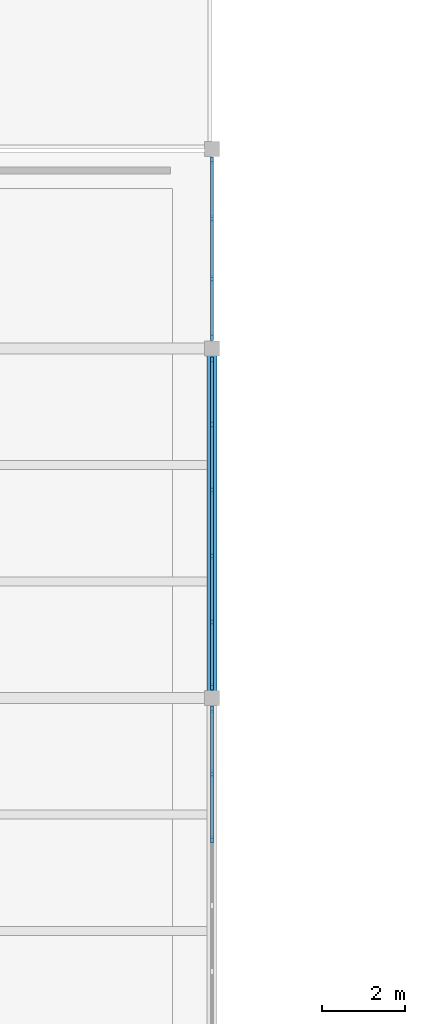
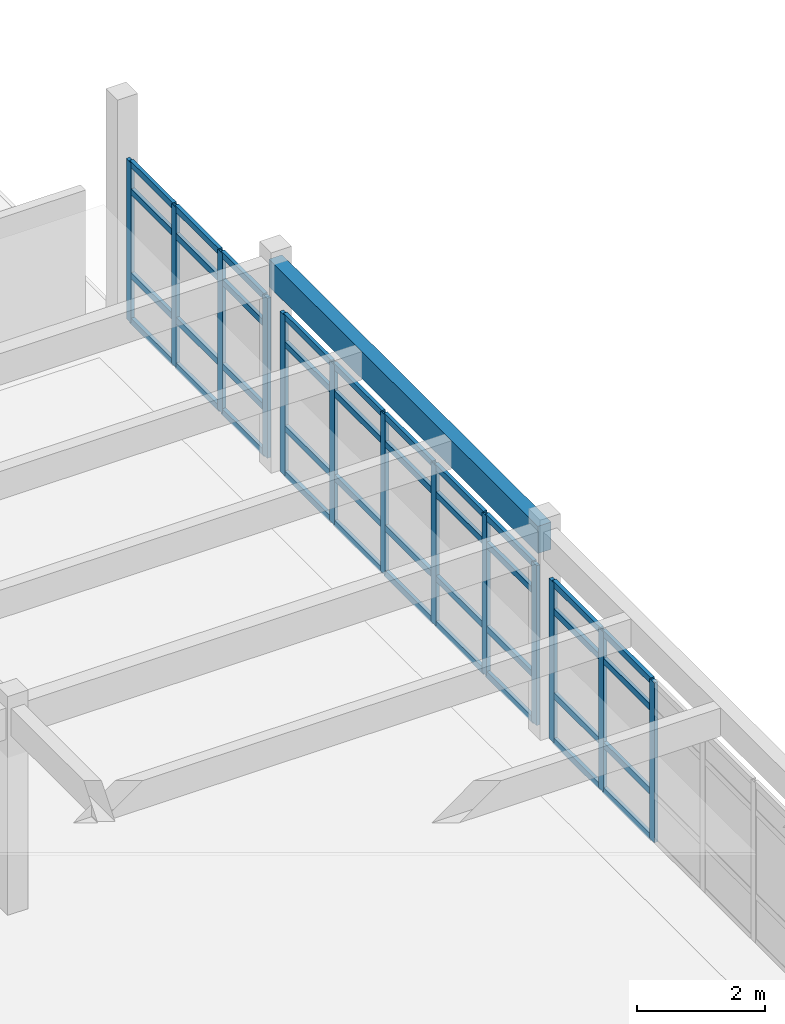
# One storey, part 21 of 61: 53 members, 1 beam, 3 elements without a shape of their own.
"""IFC4 building model written with IfcOpenShell, lengths in metres."""

from ifc_helpers import new_model, si_unit, direction, frame, origin, origin_2d, place, context, subcontext, project, spatial, rectangle, extrude, material, layer, layer_set, material_profile, profile_set, type_object, element, aggregate, save


model = new_model("IFC4")

# Units and contexts
model_context = context("Model", 3, precision=1e-05, world=origin(), true_north=direction((0.0, 1.0)))
body_context = subcontext(model_context, "Body", "Model", "MODEL_VIEW")
ifc_project = project(units=[si_unit("LENGTHUNIT", "METRE"), si_unit("AREAUNIT", "SQUARE_METRE"), si_unit("VOLUMEUNIT", "CUBIC_METRE"), si_unit("PLANEANGLEUNIT", "RADIAN"), si_unit("MASSUNIT", "GRAM", prefix="KILO")], contexts=[model_context])

# Site, building, storey
site_placement = place(None, origin())
site = spatial("IfcSite", under=ifc_project, at=site_placement, CompositionType="ELEMENT")
building_placement = place(site_placement, origin())
building = spatial("IfcBuilding", under=site, at=building_placement, Name="Kolvemor Railside Polytechnic", CompositionType="ELEMENT")
storey_placement = place(building_placement, frame((0.0, 0.0, 10.199951171875)))
storey = spatial("IfcBuildingStorey", under=building, at=storey_placement, Name="L02", CompositionType="ELEMENT", Elevation=10.199951171875)

# Beam
ifc_material_1 = material(Name="Glulam GL28h", Category="wood")
ifc_material_profile_1 = material_profile(ifc_material_1, rectangle(XDim=0.239990234375, YDim=0.52001953125, at=origin_2d()), Name="GL240x520")
ifc_profile_set_1 = profile_set([ifc_material_profile_1], Name="Glulam GL28h")
beam_type = type_object("IfcBeamType", Name="BM-GL-GIRD8", PredefinedType="BEAM", material=ifc_profile_set_1)
beam_placement = place(storey_placement, frame((48.0, 68.39990234375, 3.68994140625), z_axis=(0.0, 1.0, 0.0), x_axis=(-1.0, 0.0, 0.0)))
element("IfcBeam", 1, at=beam_placement, inside=storey, type_object=beam_type, Name="Primary Girder L03-GY 1163", PredefinedType="BEAM", context=body_context, shape_type="SweptSolid", body=[
    extrude(rectangle(XDim=0.239990234375, YDim=0.52001953125, at=origin_2d()), origin(), (0.0, 0.0, 1.0), 8.400146484375),
])

# Curtain wall, members
ifc_material_2 = material(Name="Anodised marine aluminium and laminated low-E glass", Category="aluminium")
ifc_layer = layer(ifc_material_2, 0.179931640625, Name="CW-UNIT-STD")
ifc_layer_set = layer_set([ifc_layer], Name="Anodised marine aluminium and laminated low-E glass")
curtain_wall_type = type_object("IfcCurtainWallType", Name="CW-UNIT-STD", PredefinedType="USERDEFINED", material=ifc_layer_set)
curtain_wall_1_placement = place(storey_placement, origin())
curtain_wall_1 = element("IfcCurtainWall", 2, at=curtain_wall_1_placement, inside=storey, type_object=curtain_wall_type, Name="Curtain Wall L02-077", ObjectType="UNITISED CURTAIN WALL", PredefinedType="USERDEFINED")
ifc_material_3 = material(Name="Anodised marine aluminium 6063-T6", Category="aluminium")
ifc_material_profile_2 = material_profile(ifc_material_3, rectangle(XDim=0.06494140625, YDim=0.14990234375, at=origin_2d()), Name="CW-MUL-65x150")
ifc_profile_set_2 = profile_set([ifc_material_profile_2], Name="Anodised marine aluminium 6063-T6")
member_type_1 = type_object("IfcMemberType", Name="CWM-65x150", PredefinedType="MULLION", material=ifc_profile_set_2)
member_1_placement = place(storey_placement, frame((48.0, 64.991943359375, 0.0), z_axis=(0.0, 0.0, 1.0), x_axis=(-1.0, 0.0, 0.0)))
member_1 = element("IfcMember", 3, at=member_1_placement, type_object=member_type_1, Name="CW-STD mullion 4", PredefinedType="MULLION", context=body_context, shape_type="SweptSolid", body=[
    extrude(rectangle(XDim=0.06494140625, YDim=0.14990234375, at=origin_2d()), origin(), (0.0, 0.0, 1.0), 3.050048828125),
])
member_2_placement = place(storey_placement, frame((48.0, 66.575927734375, 0.0), z_axis=(0.0, 0.0, 1.0), x_axis=(-1.0, 0.0, 0.0)))
member_2 = element("IfcMember", 4, at=member_2_placement, type_object=member_type_1, Name="CW-STD mullion 5", PredefinedType="MULLION", context=body_context, shape_type="SweptSolid", body=[
    extrude(rectangle(XDim=0.06494140625, YDim=0.14990234375, at=origin_2d()), origin(), (0.0, 0.0, 1.0), 3.050048828125),
])
member_3_placement = place(storey_placement, frame((48.0, 68.12744140625, 0.0), z_axis=(0.0, 0.0, 1.0), x_axis=(-1.0, 0.0, 0.0)))
member_3 = element("IfcMember", 5, at=member_3_placement, type_object=member_type_1, Name="CW-STD mullion 6", PredefinedType="MULLION", context=body_context, shape_type="SweptSolid", body=[
    extrude(rectangle(XDim=0.06494140625, YDim=0.14990234375, at=origin_2d()), origin(), (0.0, 0.0, 1.0), 3.050048828125),
])

curtain_wall_2_placement = place(storey_placement, origin())
curtain_wall_2 = element("IfcCurtainWall", 6, at=curtain_wall_2_placement, inside=storey, type_object=curtain_wall_type, Name="Curtain Wall L02-084", ObjectType="UNITISED CURTAIN WALL", PredefinedType="USERDEFINED")
member_4_placement = place(storey_placement, frame((48.0, 68.672607421875, 0.0), z_axis=(0.0, 0.0, 1.0), x_axis=(-1.0, 0.0, 0.0)))
member_4 = element("IfcMember", 7, at=member_4_placement, type_object=member_type_1, Name="CW-STD mullion 1", PredefinedType="MULLION", context=body_context, shape_type="SweptSolid", body=[
    extrude(rectangle(XDim=0.06494140625, YDim=0.14990234375, at=origin_2d()), origin(), (0.0, 0.0, 1.0), 3.050048828125),
])
member_5_placement = place(storey_placement, frame((48.0, 70.22412109375, 0.0), z_axis=(0.0, 0.0, 1.0), x_axis=(-1.0, 0.0, 0.0)))
member_5 = element("IfcMember", 8, at=member_5_placement, type_object=member_type_1, Name="CW-STD mullion 2", PredefinedType="MULLION", context=body_context, shape_type="SweptSolid", body=[
    extrude(rectangle(XDim=0.06494140625, YDim=0.14990234375, at=origin_2d()), origin(), (0.0, 0.0, 1.0), 3.050048828125),
])
member_6_placement = place(storey_placement, frame((48.0, 71.80810546875, 0.0), z_axis=(0.0, 0.0, 1.0), x_axis=(-1.0, 0.0, 0.0)))
member_6 = element("IfcMember", 9, at=member_6_placement, type_object=member_type_1, Name="CW-STD mullion 3", PredefinedType="MULLION", context=body_context, shape_type="SweptSolid", body=[
    extrude(rectangle(XDim=0.06494140625, YDim=0.14990234375, at=origin_2d()), origin(), (0.0, 0.0, 1.0), 3.050048828125),
])
member_7_placement = place(storey_placement, frame((48.0, 73.39208984375, 0.0), z_axis=(0.0, 0.0, 1.0), x_axis=(-1.0, 0.0, 0.0)))
member_7 = element("IfcMember", 10, at=member_7_placement, type_object=member_type_1, Name="CW-STD mullion 4", PredefinedType="MULLION", context=body_context, shape_type="SweptSolid", body=[
    extrude(rectangle(XDim=0.06494140625, YDim=0.14990234375, at=origin_2d()), origin(), (0.0, 0.0, 1.0), 3.050048828125),
])
member_8_placement = place(storey_placement, frame((48.0, 74.97607421875, 0.0), z_axis=(0.0, 0.0, 1.0), x_axis=(-1.0, 0.0, 0.0)))
member_8 = element("IfcMember", 11, at=member_8_placement, type_object=member_type_1, Name="CW-STD mullion 5", PredefinedType="MULLION", context=body_context, shape_type="SweptSolid", body=[
    extrude(rectangle(XDim=0.06494140625, YDim=0.14990234375, at=origin_2d()), origin(), (0.0, 0.0, 1.0), 3.050048828125),
])
member_9_placement = place(storey_placement, frame((48.0, 76.527587890625, 0.0), z_axis=(0.0, 0.0, 1.0), x_axis=(-1.0, 0.0, 0.0)))
member_9 = element("IfcMember", 12, at=member_9_placement, type_object=member_type_1, Name="CW-STD mullion 6", PredefinedType="MULLION", context=body_context, shape_type="SweptSolid", body=[
    extrude(rectangle(XDim=0.06494140625, YDim=0.14990234375, at=origin_2d()), origin(), (0.0, 0.0, 1.0), 3.050048828125),
])

curtain_wall_3_placement = place(storey_placement, origin())
curtain_wall_3 = element("IfcCurtainWall", 13, at=curtain_wall_3_placement, inside=storey, type_object=curtain_wall_type, Name="Curtain Wall L02-091", ObjectType="UNITISED CURTAIN WALL", PredefinedType="USERDEFINED")
member_10_placement = place(storey_placement, frame((48.0, 77.072509765625, 0.0), z_axis=(0.0, 0.0, 1.0), x_axis=(-1.0, 0.0, 0.0)))
member_10 = element("IfcMember", 14, at=member_10_placement, type_object=member_type_1, Name="CW-STD mullion 1", PredefinedType="MULLION", context=body_context, shape_type="SweptSolid", body=[
    extrude(rectangle(XDim=0.06494140625, YDim=0.14990234375, at=origin_2d()), origin(), (0.0, 0.0, 1.0), 3.050048828125),
])
member_11_placement = place(storey_placement, frame((48.0, 78.47998046875, 0.0), z_axis=(0.0, 0.0, 1.0), x_axis=(-1.0, 0.0, 0.0)))
member_11 = element("IfcMember", 15, at=member_11_placement, type_object=member_type_1, Name="CW-STD mullion 2", PredefinedType="MULLION", context=body_context, shape_type="SweptSolid", body=[
    extrude(rectangle(XDim=0.06494140625, YDim=0.14990234375, at=origin_2d()), origin(), (0.0, 0.0, 1.0), 3.050048828125),
])
member_12_placement = place(storey_placement, frame((48.0, 79.919921875, 0.0), z_axis=(0.0, 0.0, 1.0), x_axis=(-1.0, 0.0, 0.0)))
member_12 = element("IfcMember", 16, at=member_12_placement, type_object=member_type_1, Name="CW-STD mullion 3", PredefinedType="MULLION", context=body_context, shape_type="SweptSolid", body=[
    extrude(rectangle(XDim=0.06494140625, YDim=0.14990234375, at=origin_2d()), origin(), (0.0, 0.0, 1.0), 3.050048828125),
])
member_13_placement = place(storey_placement, frame((48.0, 81.327392578125, 0.0), z_axis=(0.0, 0.0, 1.0), x_axis=(-1.0, 0.0, 0.0)))
member_13 = element("IfcMember", 17, at=member_13_placement, type_object=member_type_1, Name="CW-STD mullion 4", PredefinedType="MULLION", context=body_context, shape_type="SweptSolid", body=[
    extrude(rectangle(XDim=0.06494140625, YDim=0.14990234375, at=origin_2d()), origin(), (0.0, 0.0, 1.0), 3.050048828125),
])

# Member
ifc_material_4 = material(Name="Anodised marine aluminium 6063-T6", Category="aluminium")
ifc_material_profile_3 = material_profile(ifc_material_4, rectangle(XDim=0.06494140625, YDim=0.1201171875, at=origin_2d()), Name="CW-TRN-65x120")
ifc_profile_set_3 = profile_set([ifc_material_profile_3], Name="Anodised marine aluminium 6063-T6")
member_type_2 = type_object("IfcMemberType", Name="CWT-65x120", PredefinedType="USERDEFINED", material=ifc_profile_set_3)
member_14_placement = place(storey_placement, frame((48.0, 65.0244140625, 0.032470703125), z_axis=(0.0, 1.0, 0.0), x_axis=(-1.0, 0.0, 0.0)))
member_14 = element("IfcMember", 18, at=member_14_placement, type_object=member_type_2, Name="CW-STD transom 4.1", ObjectType="TRANSOM", PredefinedType="USERDEFINED", context=body_context, shape_type="SweptSolid", body=[
    extrude(rectangle(XDim=0.06494140625, YDim=0.1201171875, at=origin_2d()), origin(), (0.0, 0.0, 1.0), 1.51904296875),
])

member_15_placement = place(storey_placement, frame((48.0, 65.0244140625, 0.900146484375), z_axis=(0.0, 1.0, 0.0), x_axis=(-1.0, 0.0, 0.0)))
member_15 = element("IfcMember", 19, at=member_15_placement, type_object=member_type_2, Name="CW-STD transom 4.2", ObjectType="TRANSOM", PredefinedType="USERDEFINED", context=body_context, shape_type="SweptSolid", body=[
    extrude(rectangle(XDim=0.06494140625, YDim=0.1201171875, at=origin_2d()), origin(), (0.0, 0.0, 1.0), 1.51904296875),
])

member_16_placement = place(storey_placement, frame((48.0, 65.0244140625, 2.5), z_axis=(0.0, 1.0, 0.0), x_axis=(-1.0, 0.0, 0.0)))
member_16 = element("IfcMember", 20, at=member_16_placement, type_object=member_type_2, Name="CW-STD transom 4.3", ObjectType="TRANSOM", PredefinedType="USERDEFINED", context=body_context, shape_type="SweptSolid", body=[
    extrude(rectangle(XDim=0.06494140625, YDim=0.1201171875, at=origin_2d()), origin(), (0.0, 0.0, 1.0), 1.51904296875),
])

member_17_placement = place(storey_placement, frame((48.0, 65.0244140625, 3.017578125), z_axis=(0.0, 1.0, 0.0), x_axis=(-1.0, 0.0, 0.0)))
member_17 = element("IfcMember", 21, at=member_17_placement, type_object=member_type_2, Name="CW-STD transom 4.4", ObjectType="TRANSOM", PredefinedType="USERDEFINED", context=body_context, shape_type="SweptSolid", body=[
    extrude(rectangle(XDim=0.06494140625, YDim=0.1201171875, at=origin_2d()), origin(), (0.0, 0.0, 1.0), 1.51904296875),
])

member_18_placement = place(storey_placement, frame((48.0, 66.6083984375, 0.032470703125), z_axis=(0.0, 1.0, 0.0), x_axis=(-1.0, 0.0, 0.0)))
member_18 = element("IfcMember", 22, at=member_18_placement, type_object=member_type_2, Name="CW-STD transom 5.1", ObjectType="TRANSOM", PredefinedType="USERDEFINED", context=body_context, shape_type="SweptSolid", body=[
    extrude(rectangle(XDim=0.06494140625, YDim=0.1201171875, at=origin_2d()), origin(), (0.0, 0.0, 1.0), 1.486572265625),
])

member_19_placement = place(storey_placement, frame((48.0, 66.6083984375, 0.900146484375), z_axis=(0.0, 1.0, 0.0), x_axis=(-1.0, 0.0, 0.0)))
member_19 = element("IfcMember", 23, at=member_19_placement, type_object=member_type_2, Name="CW-STD transom 5.2", ObjectType="TRANSOM", PredefinedType="USERDEFINED", context=body_context, shape_type="SweptSolid", body=[
    extrude(rectangle(XDim=0.06494140625, YDim=0.1201171875, at=origin_2d()), origin(), (0.0, 0.0, 1.0), 1.486572265625),
])

member_20_placement = place(storey_placement, frame((48.0, 66.6083984375, 2.5), z_axis=(0.0, 1.0, 0.0), x_axis=(-1.0, 0.0, 0.0)))
member_20 = element("IfcMember", 24, at=member_20_placement, type_object=member_type_2, Name="CW-STD transom 5.3", ObjectType="TRANSOM", PredefinedType="USERDEFINED", context=body_context, shape_type="SweptSolid", body=[
    extrude(rectangle(XDim=0.06494140625, YDim=0.1201171875, at=origin_2d()), origin(), (0.0, 0.0, 1.0), 1.486572265625),
])

member_21_placement = place(storey_placement, frame((48.0, 66.6083984375, 3.017578125), z_axis=(0.0, 1.0, 0.0), x_axis=(-1.0, 0.0, 0.0)))
member_21 = element("IfcMember", 25, at=member_21_placement, type_object=member_type_2, Name="CW-STD transom 5.4", ObjectType="TRANSOM", PredefinedType="USERDEFINED", context=body_context, shape_type="SweptSolid", body=[
    extrude(rectangle(XDim=0.06494140625, YDim=0.1201171875, at=origin_2d()), origin(), (0.0, 0.0, 1.0), 1.486572265625),
])

aggregate(curtain_wall_1, [member_1, member_2, member_3, member_14, member_15, member_16, member_17, member_18, member_19, member_20, member_21])

member_22_placement = place(storey_placement, frame((48.0, 68.705078125, 0.032470703125), z_axis=(0.0, 1.0, 0.0), x_axis=(-1.0, 0.0, 0.0)))
member_22 = element("IfcMember", 26, at=member_22_placement, type_object=member_type_2, Name="CW-STD transom 1.1", ObjectType="TRANSOM", PredefinedType="USERDEFINED", context=body_context, shape_type="SweptSolid", body=[
    extrude(rectangle(XDim=0.06494140625, YDim=0.1201171875, at=origin_2d()), origin(), (0.0, 0.0, 1.0), 1.486328125),
])

member_23_placement = place(storey_placement, frame((48.0, 68.705078125, 0.900146484375), z_axis=(0.0, 1.0, 0.0), x_axis=(-1.0, 0.0, 0.0)))
member_23 = element("IfcMember", 27, at=member_23_placement, type_object=member_type_2, Name="CW-STD transom 1.2", ObjectType="TRANSOM", PredefinedType="USERDEFINED", context=body_context, shape_type="SweptSolid", body=[
    extrude(rectangle(XDim=0.06494140625, YDim=0.1201171875, at=origin_2d()), origin(), (0.0, 0.0, 1.0), 1.486328125),
])

member_24_placement = place(storey_placement, frame((48.0, 68.705078125, 2.5), z_axis=(0.0, 1.0, 0.0), x_axis=(-1.0, 0.0, 0.0)))
member_24 = element("IfcMember", 28, at=member_24_placement, type_object=member_type_2, Name="CW-STD transom 1.3", ObjectType="TRANSOM", PredefinedType="USERDEFINED", context=body_context, shape_type="SweptSolid", body=[
    extrude(rectangle(XDim=0.06494140625, YDim=0.1201171875, at=origin_2d()), origin(), (0.0, 0.0, 1.0), 1.486328125),
])

member_25_placement = place(storey_placement, frame((48.0, 68.705078125, 3.017578125), z_axis=(0.0, 1.0, 0.0), x_axis=(-1.0, 0.0, 0.0)))
member_25 = element("IfcMember", 29, at=member_25_placement, type_object=member_type_2, Name="CW-STD transom 1.4", ObjectType="TRANSOM", PredefinedType="USERDEFINED", context=body_context, shape_type="SweptSolid", body=[
    extrude(rectangle(XDim=0.06494140625, YDim=0.1201171875, at=origin_2d()), origin(), (0.0, 0.0, 1.0), 1.486328125),
])

member_26_placement = place(storey_placement, frame((48.0, 70.256591796875, 0.032470703125), z_axis=(0.0, 1.0, 0.0), x_axis=(-1.0, 0.0, 0.0)))
member_26 = element("IfcMember", 30, at=member_26_placement, type_object=member_type_2, Name="CW-STD transom 2.1", ObjectType="TRANSOM", PredefinedType="USERDEFINED", context=body_context, shape_type="SweptSolid", body=[
    extrude(rectangle(XDim=0.06494140625, YDim=0.1201171875, at=origin_2d()), origin(), (0.0, 0.0, 1.0), 1.518798828125),
])

member_27_placement = place(storey_placement, frame((48.0, 70.256591796875, 0.900146484375), z_axis=(0.0, 1.0, 0.0), x_axis=(-1.0, 0.0, 0.0)))
member_27 = element("IfcMember", 31, at=member_27_placement, type_object=member_type_2, Name="CW-STD transom 2.2", ObjectType="TRANSOM", PredefinedType="USERDEFINED", context=body_context, shape_type="SweptSolid", body=[
    extrude(rectangle(XDim=0.06494140625, YDim=0.1201171875, at=origin_2d()), origin(), (0.0, 0.0, 1.0), 1.518798828125),
])

member_28_placement = place(storey_placement, frame((48.0, 70.256591796875, 2.5), z_axis=(0.0, 1.0, 0.0), x_axis=(-1.0, 0.0, 0.0)))
member_28 = element("IfcMember", 32, at=member_28_placement, type_object=member_type_2, Name="CW-STD transom 2.3", ObjectType="TRANSOM", PredefinedType="USERDEFINED", context=body_context, shape_type="SweptSolid", body=[
    extrude(rectangle(XDim=0.06494140625, YDim=0.1201171875, at=origin_2d()), origin(), (0.0, 0.0, 1.0), 1.518798828125),
])

member_29_placement = place(storey_placement, frame((48.0, 70.256591796875, 3.017578125), z_axis=(0.0, 1.0, 0.0), x_axis=(-1.0, 0.0, 0.0)))
member_29 = element("IfcMember", 33, at=member_29_placement, type_object=member_type_2, Name="CW-STD transom 2.4", ObjectType="TRANSOM", PredefinedType="USERDEFINED", context=body_context, shape_type="SweptSolid", body=[
    extrude(rectangle(XDim=0.06494140625, YDim=0.1201171875, at=origin_2d()), origin(), (0.0, 0.0, 1.0), 1.518798828125),
])

member_30_placement = place(storey_placement, frame((48.0, 71.840576171875, 0.032470703125), z_axis=(0.0, 1.0, 0.0), x_axis=(-1.0, 0.0, 0.0)))
member_30 = element("IfcMember", 34, at=member_30_placement, type_object=member_type_2, Name="CW-STD transom 3.1", ObjectType="TRANSOM", PredefinedType="USERDEFINED", context=body_context, shape_type="SweptSolid", body=[
    extrude(rectangle(XDim=0.06494140625, YDim=0.1201171875, at=origin_2d()), origin(), (0.0, 0.0, 1.0), 1.51904296875),
])

member_31_placement = place(storey_placement, frame((48.0, 71.840576171875, 0.900146484375), z_axis=(0.0, 1.0, 0.0), x_axis=(-1.0, 0.0, 0.0)))
member_31 = element("IfcMember", 35, at=member_31_placement, type_object=member_type_2, Name="CW-STD transom 3.2", ObjectType="TRANSOM", PredefinedType="USERDEFINED", context=body_context, shape_type="SweptSolid", body=[
    extrude(rectangle(XDim=0.06494140625, YDim=0.1201171875, at=origin_2d()), origin(), (0.0, 0.0, 1.0), 1.51904296875),
])

member_32_placement = place(storey_placement, frame((48.0, 71.840576171875, 2.5), z_axis=(0.0, 1.0, 0.0), x_axis=(-1.0, 0.0, 0.0)))
member_32 = element("IfcMember", 36, at=member_32_placement, type_object=member_type_2, Name="CW-STD transom 3.3", ObjectType="TRANSOM", PredefinedType="USERDEFINED", context=body_context, shape_type="SweptSolid", body=[
    extrude(rectangle(XDim=0.06494140625, YDim=0.1201171875, at=origin_2d()), origin(), (0.0, 0.0, 1.0), 1.51904296875),
])

member_33_placement = place(storey_placement, frame((48.0, 71.840576171875, 3.017578125), z_axis=(0.0, 1.0, 0.0), x_axis=(-1.0, 0.0, 0.0)))
member_33 = element("IfcMember", 37, at=member_33_placement, type_object=member_type_2, Name="CW-STD transom 3.4", ObjectType="TRANSOM", PredefinedType="USERDEFINED", context=body_context, shape_type="SweptSolid", body=[
    extrude(rectangle(XDim=0.06494140625, YDim=0.1201171875, at=origin_2d()), origin(), (0.0, 0.0, 1.0), 1.51904296875),
])

member_34_placement = place(storey_placement, frame((48.0, 73.424560546875, 0.032470703125), z_axis=(0.0, 1.0, 0.0), x_axis=(-1.0, 0.0, 0.0)))
member_34 = element("IfcMember", 38, at=member_34_placement, type_object=member_type_2, Name="CW-STD transom 4.1", ObjectType="TRANSOM", PredefinedType="USERDEFINED", context=body_context, shape_type="SweptSolid", body=[
    extrude(rectangle(XDim=0.06494140625, YDim=0.1201171875, at=origin_2d()), origin(), (0.0, 0.0, 1.0), 1.51904296875),
])

member_35_placement = place(storey_placement, frame((48.0, 73.424560546875, 0.900146484375), z_axis=(0.0, 1.0, 0.0), x_axis=(-1.0, 0.0, 0.0)))
member_35 = element("IfcMember", 39, at=member_35_placement, type_object=member_type_2, Name="CW-STD transom 4.2", ObjectType="TRANSOM", PredefinedType="USERDEFINED", context=body_context, shape_type="SweptSolid", body=[
    extrude(rectangle(XDim=0.06494140625, YDim=0.1201171875, at=origin_2d()), origin(), (0.0, 0.0, 1.0), 1.51904296875),
])

member_36_placement = place(storey_placement, frame((48.0, 73.424560546875, 2.5), z_axis=(0.0, 1.0, 0.0), x_axis=(-1.0, 0.0, 0.0)))
member_36 = element("IfcMember", 40, at=member_36_placement, type_object=member_type_2, Name="CW-STD transom 4.3", ObjectType="TRANSOM", PredefinedType="USERDEFINED", context=body_context, shape_type="SweptSolid", body=[
    extrude(rectangle(XDim=0.06494140625, YDim=0.1201171875, at=origin_2d()), origin(), (0.0, 0.0, 1.0), 1.51904296875),
])

member_37_placement = place(storey_placement, frame((48.0, 73.424560546875, 3.017578125), z_axis=(0.0, 1.0, 0.0), x_axis=(-1.0, 0.0, 0.0)))
member_37 = element("IfcMember", 41, at=member_37_placement, type_object=member_type_2, Name="CW-STD transom 4.4", ObjectType="TRANSOM", PredefinedType="USERDEFINED", context=body_context, shape_type="SweptSolid", body=[
    extrude(rectangle(XDim=0.06494140625, YDim=0.1201171875, at=origin_2d()), origin(), (0.0, 0.0, 1.0), 1.51904296875),
])

member_38_placement = place(storey_placement, frame((48.0, 75.008544921875, 0.032470703125), z_axis=(0.0, 1.0, 0.0), x_axis=(-1.0, 0.0, 0.0)))
member_38 = element("IfcMember", 42, at=member_38_placement, type_object=member_type_2, Name="CW-STD transom 5.1", ObjectType="TRANSOM", PredefinedType="USERDEFINED", context=body_context, shape_type="SweptSolid", body=[
    extrude(rectangle(XDim=0.06494140625, YDim=0.1201171875, at=origin_2d()), origin(), (0.0, 0.0, 1.0), 1.486572265625),
])

member_39_placement = place(storey_placement, frame((48.0, 75.008544921875, 0.900146484375), z_axis=(0.0, 1.0, 0.0), x_axis=(-1.0, 0.0, 0.0)))
member_39 = element("IfcMember", 43, at=member_39_placement, type_object=member_type_2, Name="CW-STD transom 5.2", ObjectType="TRANSOM", PredefinedType="USERDEFINED", context=body_context, shape_type="SweptSolid", body=[
    extrude(rectangle(XDim=0.06494140625, YDim=0.1201171875, at=origin_2d()), origin(), (0.0, 0.0, 1.0), 1.486572265625),
])

member_40_placement = place(storey_placement, frame((48.0, 75.008544921875, 2.5), z_axis=(0.0, 1.0, 0.0), x_axis=(-1.0, 0.0, 0.0)))
member_40 = element("IfcMember", 44, at=member_40_placement, type_object=member_type_2, Name="CW-STD transom 5.3", ObjectType="TRANSOM", PredefinedType="USERDEFINED", context=body_context, shape_type="SweptSolid", body=[
    extrude(rectangle(XDim=0.06494140625, YDim=0.1201171875, at=origin_2d()), origin(), (0.0, 0.0, 1.0), 1.486572265625),
])

member_41_placement = place(storey_placement, frame((48.0, 75.008544921875, 3.017578125), z_axis=(0.0, 1.0, 0.0), x_axis=(-1.0, 0.0, 0.0)))
member_41 = element("IfcMember", 45, at=member_41_placement, type_object=member_type_2, Name="CW-STD transom 5.4", ObjectType="TRANSOM", PredefinedType="USERDEFINED", context=body_context, shape_type="SweptSolid", body=[
    extrude(rectangle(XDim=0.06494140625, YDim=0.1201171875, at=origin_2d()), origin(), (0.0, 0.0, 1.0), 1.486572265625),
])

aggregate(curtain_wall_2, [member_4, member_5, member_6, member_7, member_8, member_9, member_22, member_23, member_24, member_25, member_26, member_27, member_28, member_29, member_30, member_31, member_32, member_33, member_34, member_35, member_36, member_37, member_38, member_39, member_40, member_41])

member_42_placement = place(storey_placement, frame((48.0, 77.10498046875, 0.032470703125), z_axis=(0.0, 1.0, 0.0), x_axis=(-1.0, 0.0, 0.0)))
member_42 = element("IfcMember", 46, at=member_42_placement, type_object=member_type_2, Name="CW-STD transom 1.1", ObjectType="TRANSOM", PredefinedType="USERDEFINED", context=body_context, shape_type="SweptSolid", body=[
    extrude(rectangle(XDim=0.06494140625, YDim=0.1201171875, at=origin_2d()), origin(), (0.0, 0.0, 1.0), 1.342529296875),
])

member_43_placement = place(storey_placement, frame((48.0, 77.10498046875, 0.900146484375), z_axis=(0.0, 1.0, 0.0), x_axis=(-1.0, 0.0, 0.0)))
member_43 = element("IfcMember", 47, at=member_43_placement, type_object=member_type_2, Name="CW-STD transom 1.2", ObjectType="TRANSOM", PredefinedType="USERDEFINED", context=body_context, shape_type="SweptSolid", body=[
    extrude(rectangle(XDim=0.06494140625, YDim=0.1201171875, at=origin_2d()), origin(), (0.0, 0.0, 1.0), 1.342529296875),
])

member_44_placement = place(storey_placement, frame((48.0, 77.10498046875, 2.5), z_axis=(0.0, 1.0, 0.0), x_axis=(-1.0, 0.0, 0.0)))
member_44 = element("IfcMember", 48, at=member_44_placement, type_object=member_type_2, Name="CW-STD transom 1.3", ObjectType="TRANSOM", PredefinedType="USERDEFINED", context=body_context, shape_type="SweptSolid", body=[
    extrude(rectangle(XDim=0.06494140625, YDim=0.1201171875, at=origin_2d()), origin(), (0.0, 0.0, 1.0), 1.342529296875),
])

member_45_placement = place(storey_placement, frame((48.0, 77.10498046875, 3.017578125), z_axis=(0.0, 1.0, 0.0), x_axis=(-1.0, 0.0, 0.0)))
member_45 = element("IfcMember", 49, at=member_45_placement, type_object=member_type_2, Name="CW-STD transom 1.4", ObjectType="TRANSOM", PredefinedType="USERDEFINED", context=body_context, shape_type="SweptSolid", body=[
    extrude(rectangle(XDim=0.06494140625, YDim=0.1201171875, at=origin_2d()), origin(), (0.0, 0.0, 1.0), 1.342529296875),
])

member_46_placement = place(storey_placement, frame((48.0, 78.512451171875, 0.032470703125), z_axis=(0.0, 1.0, 0.0), x_axis=(-1.0, 0.0, 0.0)))
member_46 = element("IfcMember", 50, at=member_46_placement, type_object=member_type_2, Name="CW-STD transom 2.1", ObjectType="TRANSOM", PredefinedType="USERDEFINED", context=body_context, shape_type="SweptSolid", body=[
    extrude(rectangle(XDim=0.06494140625, YDim=0.1201171875, at=origin_2d()), origin(), (0.0, 0.0, 1.0), 1.375),
])

member_47_placement = place(storey_placement, frame((48.0, 78.512451171875, 0.900146484375), z_axis=(0.0, 1.0, 0.0), x_axis=(-1.0, 0.0, 0.0)))
member_47 = element("IfcMember", 51, at=member_47_placement, type_object=member_type_2, Name="CW-STD transom 2.2", ObjectType="TRANSOM", PredefinedType="USERDEFINED", context=body_context, shape_type="SweptSolid", body=[
    extrude(rectangle(XDim=0.06494140625, YDim=0.1201171875, at=origin_2d()), origin(), (0.0, 0.0, 1.0), 1.375),
])

member_48_placement = place(storey_placement, frame((48.0, 78.512451171875, 2.5), z_axis=(0.0, 1.0, 0.0), x_axis=(-1.0, 0.0, 0.0)))
member_48 = element("IfcMember", 52, at=member_48_placement, type_object=member_type_2, Name="CW-STD transom 2.3", ObjectType="TRANSOM", PredefinedType="USERDEFINED", context=body_context, shape_type="SweptSolid", body=[
    extrude(rectangle(XDim=0.06494140625, YDim=0.1201171875, at=origin_2d()), origin(), (0.0, 0.0, 1.0), 1.375),
])

member_49_placement = place(storey_placement, frame((48.0, 78.512451171875, 3.017578125), z_axis=(0.0, 1.0, 0.0), x_axis=(-1.0, 0.0, 0.0)))
member_49 = element("IfcMember", 53, at=member_49_placement, type_object=member_type_2, Name="CW-STD transom 2.4", ObjectType="TRANSOM", PredefinedType="USERDEFINED", context=body_context, shape_type="SweptSolid", body=[
    extrude(rectangle(XDim=0.06494140625, YDim=0.1201171875, at=origin_2d()), origin(), (0.0, 0.0, 1.0), 1.375),
])

member_50_placement = place(storey_placement, frame((48.0, 79.952392578125, 0.032470703125), z_axis=(0.0, 1.0, 0.0), x_axis=(-1.0, 0.0, 0.0)))
member_50 = element("IfcMember", 54, at=member_50_placement, type_object=member_type_2, Name="CW-STD transom 3.1", ObjectType="TRANSOM", PredefinedType="USERDEFINED", context=body_context, shape_type="SweptSolid", body=[
    extrude(rectangle(XDim=0.06494140625, YDim=0.1201171875, at=origin_2d()), origin(), (0.0, 0.0, 1.0), 1.342529296875),
])

member_51_placement = place(storey_placement, frame((48.0, 79.952392578125, 0.900146484375), z_axis=(0.0, 1.0, 0.0), x_axis=(-1.0, 0.0, 0.0)))
member_51 = element("IfcMember", 55, at=member_51_placement, type_object=member_type_2, Name="CW-STD transom 3.2", ObjectType="TRANSOM", PredefinedType="USERDEFINED", context=body_context, shape_type="SweptSolid", body=[
    extrude(rectangle(XDim=0.06494140625, YDim=0.1201171875, at=origin_2d()), origin(), (0.0, 0.0, 1.0), 1.342529296875),
])

member_52_placement = place(storey_placement, frame((48.0, 79.952392578125, 2.5), z_axis=(0.0, 1.0, 0.0), x_axis=(-1.0, 0.0, 0.0)))
member_52 = element("IfcMember", 56, at=member_52_placement, type_object=member_type_2, Name="CW-STD transom 3.3", ObjectType="TRANSOM", PredefinedType="USERDEFINED", context=body_context, shape_type="SweptSolid", body=[
    extrude(rectangle(XDim=0.06494140625, YDim=0.1201171875, at=origin_2d()), origin(), (0.0, 0.0, 1.0), 1.342529296875),
])

member_53_placement = place(storey_placement, frame((48.0, 79.952392578125, 3.017578125), z_axis=(0.0, 1.0, 0.0), x_axis=(-1.0, 0.0, 0.0)))
member_53 = element("IfcMember", 57, at=member_53_placement, type_object=member_type_2, Name="CW-STD transom 3.4", ObjectType="TRANSOM", PredefinedType="USERDEFINED", context=body_context, shape_type="SweptSolid", body=[
    extrude(rectangle(XDim=0.06494140625, YDim=0.1201171875, at=origin_2d()), origin(), (0.0, 0.0, 1.0), 1.342529296875),
])

aggregate(curtain_wall_3, [member_10, member_11, member_12, member_13, member_42, member_43, member_44, member_45, member_46, member_47, member_48, member_49, member_50, member_51, member_52, member_53])

save(model, "model.ifc")
